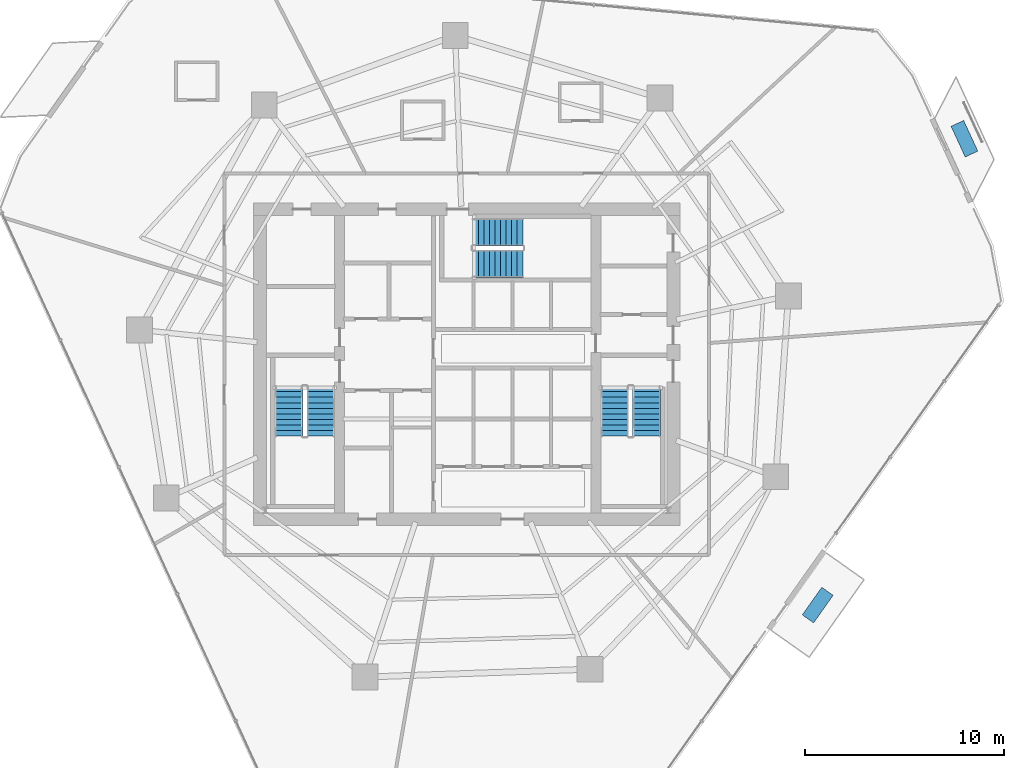
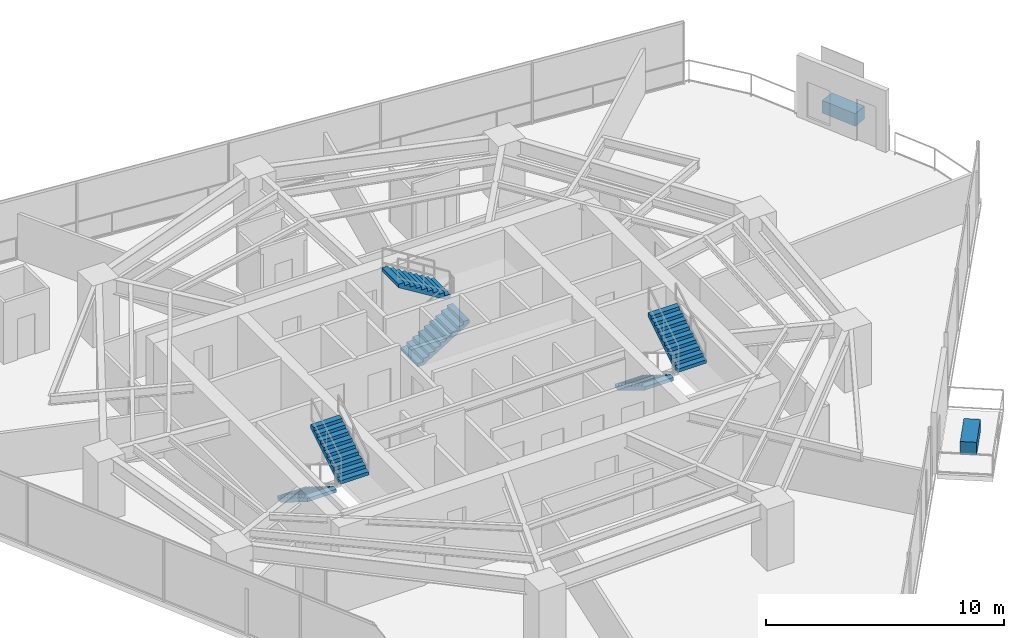
# One storey, part 28 of 30: 6 stair flights, 2 discrete accessories, 3 elements without a shape of their own.
"""IFC4 building model written with IfcOpenShell, lengths in metres."""

from ifc_helpers import new_model, si_unit, direction, frame, origin, origin_2d, place, context, subcontext, project, spatial, polyline, rectangle, outline, extrude, material, type_object, element, aggregate, save


model = new_model("IFC4")

# Units and contexts
model_context = context("Model", 3, precision=1e-05, world=origin(), true_north=direction((0.0, 1.0)))
body_context = subcontext(model_context, "Body", "Model", "MODEL_VIEW")
ifc_project = project(units=[si_unit("LENGTHUNIT", "METRE"), si_unit("AREAUNIT", "SQUARE_METRE"), si_unit("VOLUMEUNIT", "CUBIC_METRE"), si_unit("PLANEANGLEUNIT", "RADIAN"), si_unit("MASSUNIT", "GRAM", prefix="KILO")], contexts=[model_context])

# Site, building, storey
site_placement = place(None, origin())
site = spatial("IfcSite", under=ifc_project, at=site_placement, CompositionType="ELEMENT")
building_placement = place(site_placement, origin())
building = spatial("IfcBuilding", under=site, at=building_placement, Name="Qarnah Convention Tower", CompositionType="ELEMENT")
storey_placement = place(building_placement, frame((0.0, 0.0, 47.699951171875)))
storey = spatial("IfcBuildingStorey", under=building, at=storey_placement, Name="L11", CompositionType="ELEMENT", Elevation=47.699951171875)

# Stair, stair flights
ifc_material_1 = material(Name="Concrete C50/60", Category="concrete")
stair_type = type_object("IfcStairType", Name="STR-HTL", PredefinedType="HALF_TURN_STAIR", material=ifc_material_1)
stair_1_placement = place(storey_placement, origin())
stair_1 = element("IfcStair", 1, at=stair_1_placement, inside=storey, type_object=stair_type, Name="L11 Core exit stair ST-1", PredefinedType="HALF_TURN_STAIR")
stair_flight_type = type_object("IfcStairFlightType", Name="FLT-HTL", PredefinedType="STRAIGHT", material=ifc_material_1)
stair_flight_1_placement = place(storey_placement, frame((28.25, 25.300048828125, 0.0), z_axis=(0.0, 0.0, 1.0), x_axis=(0.0, -1.0, 0.0)))
stair_flight_1 = element("IfcStairFlight", 2, at=stair_flight_1_placement, type_object=stair_flight_type, Name="ST-1 flight 1", NumberOfRisers=10, NumberOfTreads=9, PredefinedType="STRAIGHT", RiserHeight=0.1725, TreadLength=0.28, context=body_context, shape_type="SweptSolid", body=[
    extrude(outline(polyline([(0.0, 0.0), (0.0, 0.172607421875), (0.280029296875, 0.172607421875), (0.280029296875, 0.344970703125), (0.56005859375, 0.344970703125), (0.56005859375, 0.517578125), (0.840087890625, 0.517578125), (0.840087890625, 0.68994140625), (1.1201171875, 0.68994140625), (1.1201171875, 0.862548828125), (1.39990234375, 0.862548828125), (1.39990234375, 1.034912109375), (1.679931640625, 1.034912109375), (1.679931640625, 1.20751953125), (1.9599609375, 1.20751953125), (1.9599609375, 1.3798828125), (2.239990234375, 1.3798828125), (2.239990234375, 1.552490234375), (2.52001953125, 1.552490234375), (2.52001953125, 1.72509765625), (2.52001953125, 1.37646484375), (0.285888671875, 0.0), (0.0, 0.0)])), frame((0.0, 0.699951171875, 0.0), z_axis=(0.0, -1.0, 0.0), x_axis=(1.0, 0.0, 0.0)), (0.0, 0.0, 1.0), 1.39990234375),
])
stair_flight_2_placement = place(storey_placement, frame((29.85009765625, 22.780029296875, 1.72509765625), z_axis=(0.0, 0.0, 1.0), x_axis=(0.0, 1.0, 0.0)))
stair_flight_2 = element("IfcStairFlight", 3, at=stair_flight_2_placement, type_object=stair_flight_type, Name="ST-1 flight 2", NumberOfRisers=10, NumberOfTreads=9, PredefinedType="STRAIGHT", RiserHeight=0.1725, TreadLength=0.28, context=body_context, shape_type="SweptSolid", body=[
    extrude(outline(polyline([(0.0, 0.0), (0.0, 0.172607421875), (0.280029296875, 0.172607421875), (0.280029296875, 0.344970703125), (0.56005859375, 0.344970703125), (0.56005859375, 0.517578125), (0.840087890625, 0.517578125), (0.840087890625, 0.68994140625), (1.1201171875, 0.68994140625), (1.1201171875, 0.862548828125), (1.39990234375, 0.862548828125), (1.39990234375, 1.034912109375), (1.679931640625, 1.034912109375), (1.679931640625, 1.20751953125), (1.9599609375, 1.20751953125), (1.9599609375, 1.3798828125), (2.239990234375, 1.3798828125), (2.239990234375, 1.552490234375), (2.52001953125, 1.552490234375), (2.52001953125, 1.72509765625), (2.52001953125, 1.37646484375), (0.285888671875, 0.0), (0.0, 0.0)])), frame((0.0, 0.699951171875, 0.0), z_axis=(0.0, -1.0, 0.0), x_axis=(1.0, 0.0, 0.0)), (0.0, 0.0, 1.0), 1.39990234375),
])
aggregate(stair_1, [stair_flight_1, stair_flight_2])

stair_2_placement = place(storey_placement, origin())
stair_2 = element("IfcStair", 4, at=stair_2_placement, inside=storey, type_object=stair_type, Name="L11 Core exit stair ST-2", PredefinedType="HALF_TURN_STAIR")
stair_flight_3_placement = place(storey_placement, frame((44.64990234375, 25.300048828125, 0.0), z_axis=(0.0, 0.0, 1.0), x_axis=(0.0, -1.0, 0.0)))
stair_flight_3 = element("IfcStairFlight", 5, at=stair_flight_3_placement, type_object=stair_flight_type, Name="ST-2 flight 1", NumberOfRisers=10, NumberOfTreads=9, PredefinedType="STRAIGHT", RiserHeight=0.1725, TreadLength=0.28, context=body_context, shape_type="SweptSolid", body=[
    extrude(outline(polyline([(0.0, 0.0), (0.0, 0.172607421875), (0.280029296875, 0.172607421875), (0.280029296875, 0.344970703125), (0.56005859375, 0.344970703125), (0.56005859375, 0.517578125), (0.840087890625, 0.517578125), (0.840087890625, 0.68994140625), (1.1201171875, 0.68994140625), (1.1201171875, 0.862548828125), (1.39990234375, 0.862548828125), (1.39990234375, 1.034912109375), (1.679931640625, 1.034912109375), (1.679931640625, 1.20751953125), (1.9599609375, 1.20751953125), (1.9599609375, 1.3798828125), (2.239990234375, 1.3798828125), (2.239990234375, 1.552490234375), (2.52001953125, 1.552490234375), (2.52001953125, 1.72509765625), (2.52001953125, 1.37646484375), (0.285888671875, 0.0), (0.0, 0.0)])), frame((0.0, 0.699951171875, 0.0), z_axis=(0.0, -1.0, 0.0), x_axis=(1.0, 0.0, 0.0)), (0.0, 0.0, 1.0), 1.39990234375),
])
stair_flight_4_placement = place(storey_placement, frame((46.25, 22.780029296875, 1.72509765625), z_axis=(0.0, 0.0, 1.0), x_axis=(0.0, 1.0, 0.0)))
stair_flight_4 = element("IfcStairFlight", 6, at=stair_flight_4_placement, type_object=stair_flight_type, Name="ST-2 flight 2", NumberOfRisers=10, NumberOfTreads=9, PredefinedType="STRAIGHT", RiserHeight=0.1725, TreadLength=0.28, context=body_context, shape_type="SweptSolid", body=[
    extrude(outline(polyline([(0.0, 0.0), (0.0, 0.172607421875), (0.280029296875, 0.172607421875), (0.280029296875, 0.344970703125), (0.56005859375, 0.344970703125), (0.56005859375, 0.517578125), (0.840087890625, 0.517578125), (0.840087890625, 0.68994140625), (1.1201171875, 0.68994140625), (1.1201171875, 0.862548828125), (1.39990234375, 0.862548828125), (1.39990234375, 1.034912109375), (1.679931640625, 1.034912109375), (1.679931640625, 1.20751953125), (1.9599609375, 1.20751953125), (1.9599609375, 1.3798828125), (2.239990234375, 1.3798828125), (2.239990234375, 1.552490234375), (2.52001953125, 1.552490234375), (2.52001953125, 1.72509765625), (2.52001953125, 1.37646484375), (0.285888671875, 0.0), (0.0, 0.0)])), frame((0.0, 0.699951171875, 0.0), z_axis=(0.0, -1.0, 0.0), x_axis=(1.0, 0.0, 0.0)), (0.0, 0.0, 1.0), 1.39990234375),
])
aggregate(stair_2, [stair_flight_3, stair_flight_4])

stair_3_placement = place(storey_placement, origin())
stair_3 = element("IfcStair", 7, at=stair_3_placement, inside=storey, type_object=stair_type, Name="L11 Core exit stair ST-3", PredefinedType="HALF_TURN_STAIR")
stair_flight_5_placement = place(storey_placement, frame((37.5, 31.449951171875, 0.0), z_axis=(0.0, 0.0, 1.0), x_axis=(1.0, 0.0, 0.0)))
stair_flight_5 = element("IfcStairFlight", 8, at=stair_flight_5_placement, type_object=stair_flight_type, Name="ST-3 flight 1", NumberOfRisers=10, NumberOfTreads=9, PredefinedType="STRAIGHT", RiserHeight=0.1725, TreadLength=0.28, context=body_context, shape_type="SweptSolid", body=[
    extrude(outline(polyline([(0.0, 0.0), (0.0, 0.172607421875), (0.280029296875, 0.172607421875), (0.280029296875, 0.344970703125), (0.56005859375, 0.344970703125), (0.56005859375, 0.517578125), (0.840087890625, 0.517578125), (0.840087890625, 0.68994140625), (1.1201171875, 0.68994140625), (1.1201171875, 0.862548828125), (1.39990234375, 0.862548828125), (1.39990234375, 1.034912109375), (1.679931640625, 1.034912109375), (1.679931640625, 1.20751953125), (1.9599609375, 1.20751953125), (1.9599609375, 1.3798828125), (2.239990234375, 1.3798828125), (2.239990234375, 1.552490234375), (2.52001953125, 1.552490234375), (2.52001953125, 1.72509765625), (2.52001953125, 1.37646484375), (0.285888671875, 0.0), (0.0, 0.0)])), frame((0.0, 0.699951171875, 0.0), z_axis=(0.0, -1.0, 0.0), x_axis=(1.0, 0.0, 0.0)), (0.0, 0.0, 1.0), 1.39990234375),
])
stair_flight_6_placement = place(storey_placement, frame((40.02001953125, 33.050048828125, 1.72509765625), z_axis=(0.0, 0.0, 1.0), x_axis=(-1.0, 0.0, 0.0)))
stair_flight_6 = element("IfcStairFlight", 9, at=stair_flight_6_placement, type_object=stair_flight_type, Name="ST-3 flight 2", NumberOfRisers=10, NumberOfTreads=9, PredefinedType="STRAIGHT", RiserHeight=0.1725, TreadLength=0.28, context=body_context, shape_type="SweptSolid", body=[
    extrude(outline(polyline([(0.0, 0.0), (0.0, 0.172607421875), (0.280029296875, 0.172607421875), (0.280029296875, 0.344970703125), (0.56005859375, 0.344970703125), (0.56005859375, 0.517578125), (0.840087890625, 0.517578125), (0.840087890625, 0.68994140625), (1.1201171875, 0.68994140625), (1.1201171875, 0.862548828125), (1.39990234375, 0.862548828125), (1.39990234375, 1.034912109375), (1.679931640625, 1.034912109375), (1.679931640625, 1.20751953125), (1.9599609375, 1.20751953125), (1.9599609375, 1.3798828125), (2.239990234375, 1.3798828125), (2.239990234375, 1.552490234375), (2.52001953125, 1.552490234375), (2.52001953125, 1.72509765625), (2.52001953125, 1.37646484375), (0.285888671875, 0.0), (0.0, 0.0)])), frame((0.0, 0.699951171875, 0.0), z_axis=(0.0, -1.0, 0.0), x_axis=(1.0, 0.0, 0.0)), (0.0, 0.0, 1.0), 1.39990234375),
])
aggregate(stair_3, [stair_flight_5, stair_flight_6])

# Discrete accessories
ifc_material_2 = material(Name="Precast concrete C45/55", Category="concrete")
discrete_accessory_type = type_object("IfcDiscreteAccessoryType", Name="ACC-PLANTER-900", PredefinedType="USERDEFINED", material=ifc_material_2)
for number, where, z_axis, x_axis, name in (
    (10, (62.243896484375, 37.7470703125, 0.0), (0.0, 0.0, 1.0), (-0.418342710268, 0.908289258312, 0.0), "L11 irrigated desert balcony PLANTER BAL-L11-C1"),
    (11, (54.860107421875, 14.280029296875, 0.0), (0.0, 0.0, 1.0), (0.577430216549, 0.816440043737, 0.0), "L11 irrigated desert balcony PLANTER VN-L11"),
):
    element("IfcDiscreteAccessory", number, at=place(storey_placement, frame(where, z_axis=z_axis, x_axis=x_axis)), inside=storey, type_object=discrete_accessory_type, Name=name, ObjectType="PLANTER", PredefinedType="USERDEFINED", context=body_context, shape_type="SweptSolid", body=[
        extrude(rectangle(XDim=1.699951171875, YDim=0.699951171875, at=origin_2d()), origin(), (0.0, 0.0, 1.0), 0.64990234375),
    ])

save(model, "model.ifc")
